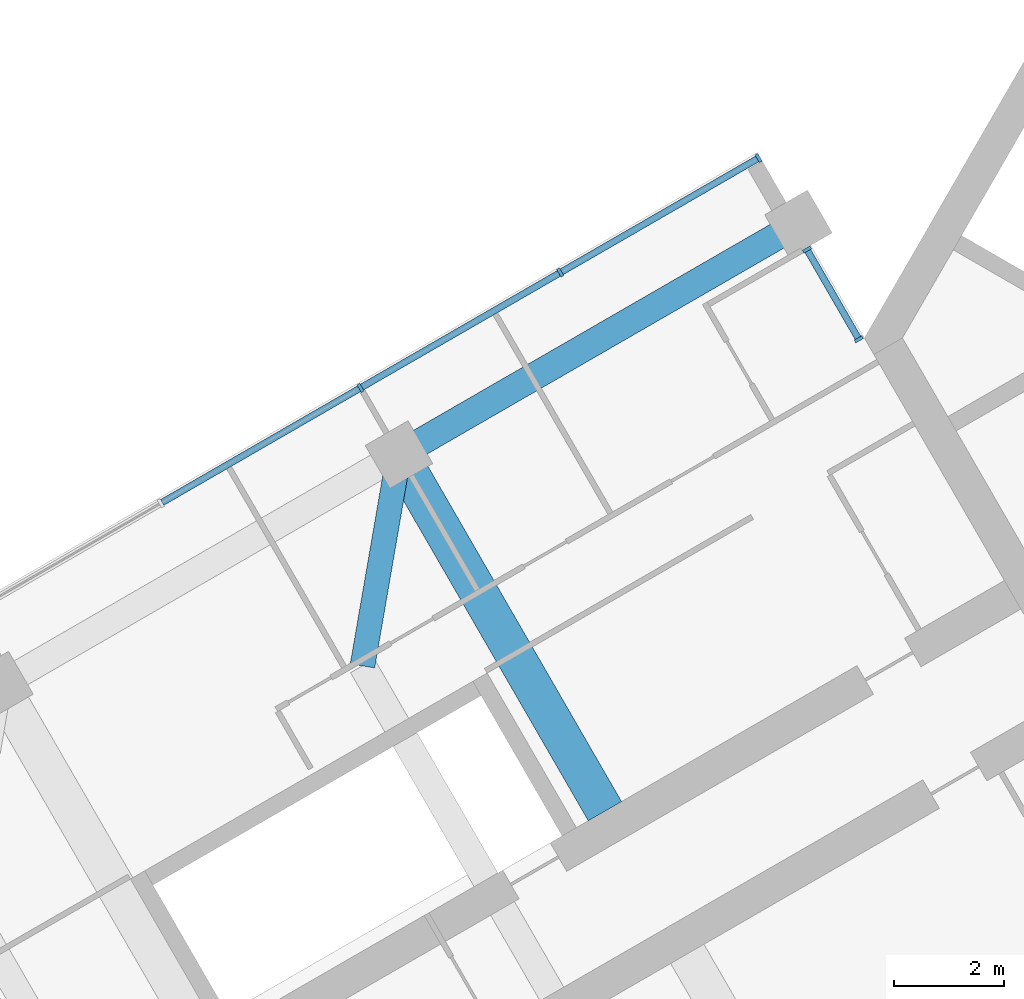
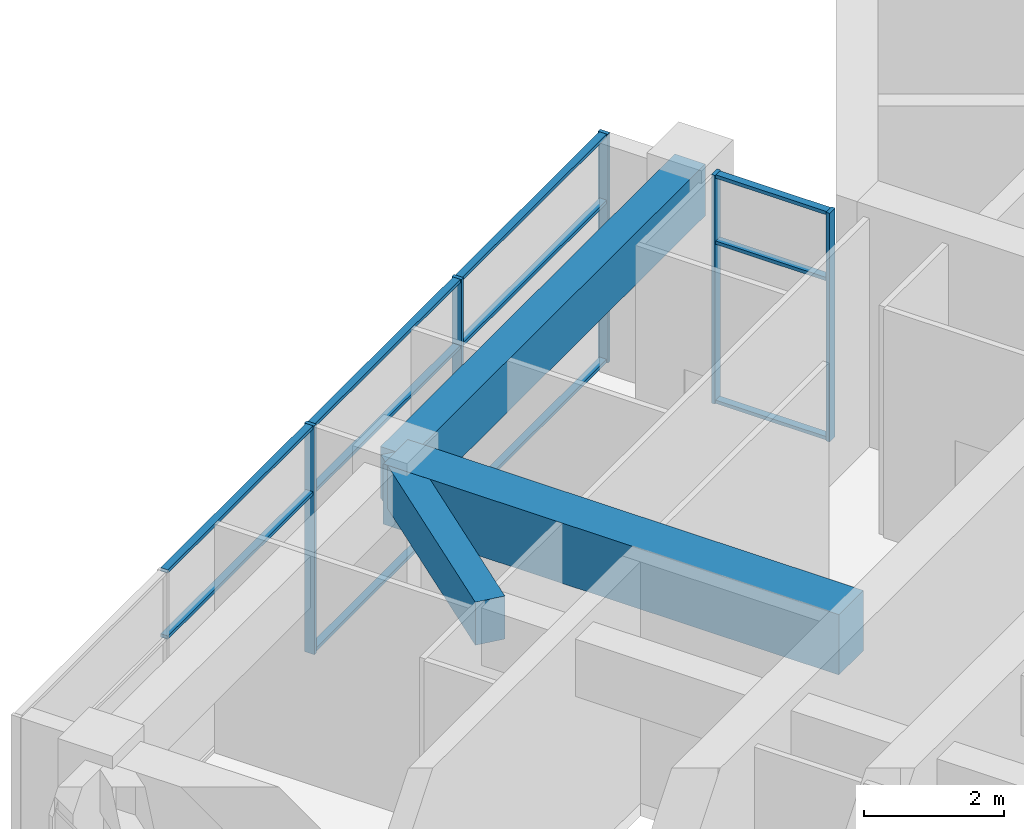
# One storey, part 3 of 14: 16 members, 3 beams, 2 elements without a shape of their own.
"""IFC4 building model written with IfcOpenShell, lengths in metres."""

from ifc_helpers import new_model, si_unit, direction, frame, origin, origin_2d, place, context, subcontext, project, spatial, rectangle, extrude, material, material_profile, profile_set, type_object, element, aggregate, save


model = new_model("IFC4")

# Units and contexts
model_context = context("Model", 3, precision=1e-05, world=origin(), true_north=direction((0.0, 1.0)))
body_context = subcontext(model_context, "Body", "Model", "MODEL_VIEW")
ifc_project = project(units=[si_unit("LENGTHUNIT", "METRE"), si_unit("AREAUNIT", "SQUARE_METRE"), si_unit("VOLUMEUNIT", "CUBIC_METRE"), si_unit("PLANEANGLEUNIT", "RADIAN"), si_unit("MASSUNIT", "GRAM", prefix="KILO")], contexts=[model_context])

# Site, building, storey
site_placement = place(None, origin())
site = spatial("IfcSite", under=ifc_project, at=site_placement, CompositionType="ELEMENT")
building_placement = place(site_placement, origin())
building = spatial("IfcBuilding", under=site, at=building_placement, Name="Impinga Residences", CompositionType="ELEMENT")
storey_placement = place(building_placement, frame((0.0, 0.0, 278.949951171875)))
storey = spatial("IfcBuildingStorey", under=building, at=storey_placement, Name="L70", CompositionType="ELEMENT", Elevation=278.949951171875)

# Beams
ifc_material_1 = material(Name="Concrete C60/75", Category="concrete")
ifc_material_profile_1 = material_profile(ifc_material_1, rectangle(XDim=0.449951171875, YDim=0.75, at=origin_2d()), Name="RC 450x750")
ifc_profile_set_1 = profile_set([ifc_material_profile_1], Name="Concrete C60/75")
beam_type_1 = type_object("IfcBeamType", Name="CB1 450x750 wing end cantilever beam", PredefinedType="BEAM", material=ifc_profile_set_1)
beam_1_placement = place(storey_placement, frame((-21.674560546875, -2.12158203125, 3.60498046875), z_axis=(-0.170296298948, -0.985392901621, 0.0), x_axis=(0.985392901621, -0.170296298948, 0.0)))
element("IfcBeam", 1, at=beam_1_placement, inside=storey, type_object=beam_type_1, Name="Beam CB1 WE W2-WX level L71", PredefinedType="BEAM", context=body_context, shape_type="SweptSolid", body=[
    extrude(rectangle(XDim=0.449951171875, YDim=0.75, at=origin_2d()), origin(), (0.0, 0.0, 1.0), 3.9052734375),
])
ifc_material_profile_2 = material_profile(ifc_material_1, rectangle(XDim=0.699951171875, YDim=1.050048828125, at=origin_2d()), Name="RC 700x1050")
ifc_profile_set_2 = profile_set([ifc_material_profile_2], Name="Concrete C60/75")
beam_type_2 = type_object("IfcBeamType", Name="CG1 700x1050 cross girder on a wing bay line", PredefinedType="BEAM", material=ifc_profile_set_2)
beam_2_placement = place(storey_placement, frame((-17.924560546875, -8.61669921875, 3.455078125), z_axis=(-0.500004234368, 0.866022959057, 0.0), x_axis=(-0.866022959057, -0.500004234368, 0.0)))
element("IfcBeam", 2, at=beam_2_placement, inside=storey, type_object=beam_type_2, Name="Beam CG1 W2 WC/WF level L71", PredefinedType="BEAM", context=body_context, shape_type="SweptSolid", body=[
    extrude(rectangle(XDim=0.699951171875, YDim=1.050048828125, at=origin_2d()), origin(), (0.0, 0.0, 1.0), 7.5),
])

# Curtain wall, members
ifc_material_2 = material(Name="Aluminium stick curtain wall", Category="aluminium")
curtain_wall_type = type_object("IfcCurtainWallType", Name="CW3 penthouse curtain wall", PredefinedType="USERDEFINED", material=ifc_material_2)
curtain_wall_1_placement = place(storey_placement, origin())
curtain_wall_1 = element("IfcCurtainWall", 3, at=curtain_wall_1_placement, inside=storey, type_object=curtain_wall_type, Name="Curtain wall CW3 L70", ObjectType="STICK CURTAIN WALL", PredefinedType="USERDEFINED")
ifc_material_3 = material(Name="Aluminium mullion", Category="aluminium")
ifc_material_profile_3 = material_profile(ifc_material_3, rectangle(XDim=0.06005859375, YDim=0.159912109375, at=origin_2d()), Name="60x160 mullion")
ifc_profile_set_3 = profile_set([ifc_material_profile_3], Name="Aluminium mullion")
member_type_1 = type_object("IfcMemberType", Name="CW3-M mullion 60x160", PredefinedType="MULLION", material=ifc_profile_set_3)
member_1_placement = place(storey_placement, frame((-22.37451171875, -0.9091796875, 0.0), z_axis=(0.0, 0.0, 1.0), x_axis=(0.866025407005, 0.499999994423, 0.0)))
member_1 = element("IfcMember", 4, at=member_1_placement, type_object=member_type_1, Name="CW3 mullion 3", PredefinedType="MULLION", context=body_context, shape_type="SweptSolid", body=[
    extrude(rectangle(XDim=0.06005859375, YDim=0.159912109375, at=origin_2d()), origin(), (0.0, 0.0, 1.0), 3.97998046875),
])
member_2_placement = place(storey_placement, frame((-18.7373046875, 1.19091796875, 0.0), z_axis=(0.0, 0.0, 1.0), x_axis=(0.866025407005, 0.499999994423, 0.0)))
member_2 = element("IfcMember", 5, at=member_2_placement, type_object=member_type_1, Name="CW3 mullion 4", PredefinedType="MULLION", context=body_context, shape_type="SweptSolid", body=[
    extrude(rectangle(XDim=0.06005859375, YDim=0.159912109375, at=origin_2d()), origin(), (0.0, 0.0, 1.0), 3.97998046875),
])
member_3_placement = place(storey_placement, frame((-15.1259765625, 3.27587890625, 0.0), z_axis=(0.0, 0.0, 1.0), x_axis=(0.866025407005, 0.499999994423, 0.0)))
member_3 = element("IfcMember", 6, at=member_3_placement, type_object=member_type_1, Name="CW3 mullion 5", PredefinedType="MULLION", context=body_context, shape_type="SweptSolid", body=[
    extrude(rectangle(XDim=0.06005859375, YDim=0.159912109375, at=origin_2d()), origin(), (0.0, 0.0, 1.0), 3.97998046875),
])

curtain_wall_2_placement = place(storey_placement, origin())
curtain_wall_2 = element("IfcCurtainWall", 7, at=curtain_wall_2_placement, inside=storey, type_object=curtain_wall_type, Name="Curtain wall CW3 L70", ObjectType="STICK CURTAIN WALL", PredefinedType="USERDEFINED")
member_4_placement = place(storey_placement, frame((-14.2451171875, 1.610107421875, 0.0), z_axis=(0.0, 0.0, 1.0), x_axis=(0.50000010257, -0.866025344565, 0.0)))
member_4 = element("IfcMember", 8, at=member_4_placement, type_object=member_type_1, Name="CW3 mullion 1", PredefinedType="MULLION", context=body_context, shape_type="SweptSolid", body=[
    extrude(rectangle(XDim=0.06005859375, YDim=0.159912109375, at=origin_2d()), origin(), (0.0, 0.0, 1.0), 3.97998046875),
])
member_5_placement = place(storey_placement, frame((-13.301513671875, -0.02392578125, 0.0), z_axis=(0.0, 0.0, 1.0), x_axis=(0.50000010257, -0.866025344565, 0.0)))
member_5 = element("IfcMember", 9, at=member_5_placement, type_object=member_type_1, Name="CW3 mullion 2", PredefinedType="MULLION", context=body_context, shape_type="SweptSolid", body=[
    extrude(rectangle(XDim=0.06005859375, YDim=0.159912109375, at=origin_2d()), origin(), (0.0, 0.0, 1.0), 3.97998046875),
])

# Member
ifc_material_4 = material(Name="Aluminium transom", Category="aluminium")
ifc_material_profile_4 = material_profile(ifc_material_4, rectangle(XDim=0.06005859375, YDim=0.1201171875, at=origin_2d()), Name="60x120 transom")
ifc_profile_set_4 = profile_set([ifc_material_profile_4], Name="Aluminium transom")
member_type_2 = type_object("IfcMemberType", Name="CW3-T transom 60x120", PredefinedType="USERDEFINED", material=ifc_profile_set_4)
member_6_placement = place(storey_placement, frame((-25.98583984375, -2.994140625, 2.800048828125), z_axis=(0.866009793405, 0.500027036996, 0.0), x_axis=(0.0, 0.0, 1.0)))
member_6 = element("IfcMember", 10, at=member_6_placement, type_object=member_type_2, Name="CW3 transom 2.2", ObjectType="TRANSOM", PredefinedType="USERDEFINED", context=body_context, shape_type="SweptSolid", body=[
    extrude(rectangle(XDim=0.06005859375, YDim=0.1201171875, at=origin_2d()), origin(), (0.0, 0.0, 1.0), 4.139892578125),
])

member_7_placement = place(storey_placement, frame((-25.98583984375, -2.994140625, 3.949951171875), z_axis=(0.866009793405, 0.500027036996, 0.0), x_axis=(0.0, 0.0, 1.0)))
member_7 = element("IfcMember", 11, at=member_7_placement, type_object=member_type_2, Name="CW3 transom 2.3", ObjectType="TRANSOM", PredefinedType="USERDEFINED", context=body_context, shape_type="SweptSolid", body=[
    extrude(rectangle(XDim=0.06005859375, YDim=0.1201171875, at=origin_2d()), origin(), (0.0, 0.0, 1.0), 4.139892578125),
])

member_8_placement = place(storey_placement, frame((-22.3486328125, -0.89404296875, 0.030029296875), z_axis=(0.866050071143, 0.499957272447, 0.0), x_axis=(0.0, 0.0, 1.0)))
member_8 = element("IfcMember", 12, at=member_8_placement, type_object=member_type_2, Name="CW3 transom 3.1", ObjectType="TRANSOM", PredefinedType="USERDEFINED", context=body_context, shape_type="SweptSolid", body=[
    extrude(rectangle(XDim=0.06005859375, YDim=0.1201171875, at=origin_2d()), origin(), (0.0, 0.0, 1.0), 4.139892578125),
])

member_9_placement = place(storey_placement, frame((-22.3486328125, -0.89404296875, 2.800048828125), z_axis=(0.866050071143, 0.499957272447, 0.0), x_axis=(0.0, 0.0, 1.0)))
member_9 = element("IfcMember", 13, at=member_9_placement, type_object=member_type_2, Name="CW3 transom 3.2", ObjectType="TRANSOM", PredefinedType="USERDEFINED", context=body_context, shape_type="SweptSolid", body=[
    extrude(rectangle(XDim=0.06005859375, YDim=0.1201171875, at=origin_2d()), origin(), (0.0, 0.0, 1.0), 4.139892578125),
])

member_10_placement = place(storey_placement, frame((-22.3486328125, -0.89404296875, 3.949951171875), z_axis=(0.866050071143, 0.499957272447, 0.0), x_axis=(0.0, 0.0, 1.0)))
member_10 = element("IfcMember", 14, at=member_10_placement, type_object=member_type_2, Name="CW3 transom 3.3", ObjectType="TRANSOM", PredefinedType="USERDEFINED", context=body_context, shape_type="SweptSolid", body=[
    extrude(rectangle(XDim=0.06005859375, YDim=0.1201171875, at=origin_2d()), origin(), (0.0, 0.0, 1.0), 4.139892578125),
])

member_11_placement = place(storey_placement, frame((-18.71142578125, 1.205810546875, 0.030029296875), z_axis=(0.866019409031, 0.500010383074, 0.0), x_axis=(0.0, 0.0, 1.0)))
member_11 = element("IfcMember", 15, at=member_11_placement, type_object=member_type_2, Name="CW3 transom 4.1", ObjectType="TRANSOM", PredefinedType="USERDEFINED", context=body_context, shape_type="SweptSolid", body=[
    extrude(rectangle(XDim=0.06005859375, YDim=0.1201171875, at=origin_2d()), origin(), (0.0, 0.0, 1.0), 4.1103515625),
])

member_12_placement = place(storey_placement, frame((-18.71142578125, 1.205810546875, 2.800048828125), z_axis=(0.866019409031, 0.500010383074, 0.0), x_axis=(0.0, 0.0, 1.0)))
member_12 = element("IfcMember", 16, at=member_12_placement, type_object=member_type_2, Name="CW3 transom 4.2", ObjectType="TRANSOM", PredefinedType="USERDEFINED", context=body_context, shape_type="SweptSolid", body=[
    extrude(rectangle(XDim=0.06005859375, YDim=0.1201171875, at=origin_2d()), origin(), (0.0, 0.0, 1.0), 4.1103515625),
])

member_13_placement = place(storey_placement, frame((-18.71142578125, 1.205810546875, 3.949951171875), z_axis=(0.866019409031, 0.500010383074, 0.0), x_axis=(0.0, 0.0, 1.0)))
member_13 = element("IfcMember", 17, at=member_13_placement, type_object=member_type_2, Name="CW3 transom 4.3", ObjectType="TRANSOM", PredefinedType="USERDEFINED", context=body_context, shape_type="SweptSolid", body=[
    extrude(rectangle(XDim=0.06005859375, YDim=0.1201171875, at=origin_2d()), origin(), (0.0, 0.0, 1.0), 4.1103515625),
])

aggregate(curtain_wall_1, [member_1, member_2, member_3, member_6, member_7, member_8, member_9, member_10, member_11, member_12, member_13])

member_14_placement = place(storey_placement, frame((-14.230224609375, 1.584228515625, 0.030029296875), z_axis=(0.500019332402, -0.866014241929, 0.0), x_axis=(0.0, 0.0, 1.0)))
member_14 = element("IfcMember", 18, at=member_14_placement, type_object=member_type_2, Name="CW3 transom 1.1", ObjectType="TRANSOM", PredefinedType="USERDEFINED", context=body_context, shape_type="SweptSolid", body=[
    extrude(rectangle(XDim=0.06005859375, YDim=0.1201171875, at=origin_2d()), origin(), (0.0, 0.0, 1.0), 1.8271484375),
])

member_15_placement = place(storey_placement, frame((-14.230224609375, 1.584228515625, 2.800048828125), z_axis=(0.500019332402, -0.866014241929, 0.0), x_axis=(0.0, 0.0, 1.0)))
member_15 = element("IfcMember", 19, at=member_15_placement, type_object=member_type_2, Name="CW3 transom 1.2", ObjectType="TRANSOM", PredefinedType="USERDEFINED", context=body_context, shape_type="SweptSolid", body=[
    extrude(rectangle(XDim=0.06005859375, YDim=0.1201171875, at=origin_2d()), origin(), (0.0, 0.0, 1.0), 1.8271484375),
])

member_16_placement = place(storey_placement, frame((-14.230224609375, 1.584228515625, 3.949951171875), z_axis=(0.500019332402, -0.866014241929, 0.0), x_axis=(0.0, 0.0, 1.0)))
member_16 = element("IfcMember", 20, at=member_16_placement, type_object=member_type_2, Name="CW3 transom 1.3", ObjectType="TRANSOM", PredefinedType="USERDEFINED", context=body_context, shape_type="SweptSolid", body=[
    extrude(rectangle(XDim=0.06005859375, YDim=0.1201171875, at=origin_2d()), origin(), (0.0, 0.0, 1.0), 1.8271484375),
])

aggregate(curtain_wall_2, [member_4, member_5, member_14, member_15, member_16])

# Beam
ifc_material_profile_5 = material_profile(ifc_material_1, rectangle(XDim=0.5, YDim=0.89990234375, at=origin_2d()), Name="RC 500x900")
ifc_profile_set_5 = profile_set([ifc_material_profile_5], Name="Concrete C60/75")
beam_type_3 = type_object("IfcBeamType", Name="SB1 500x900 perimeter spandrel beam", PredefinedType="SPANDREL", material=ifc_profile_set_5)
beam_3_placement = place(storey_placement, frame((-14.39990234375, 2.078369140625, 3.530029296875), z_axis=(-0.86602925447, -0.499993330357, 0.0), x_axis=(0.499993330357, -0.86602925447, 0.0)))
element("IfcBeam", 21, at=beam_3_placement, inside=storey, type_object=beam_type_3, Name="Beam SB1 WF W1-W2 level L71", PredefinedType="SPANDREL", context=body_context, shape_type="SweptSolid", body=[
    extrude(rectangle(XDim=0.5, YDim=0.89990234375, at=origin_2d()), origin(), (0.0, 0.0, 1.0), 8.39990234375),
])

save(model, "model.ifc")
